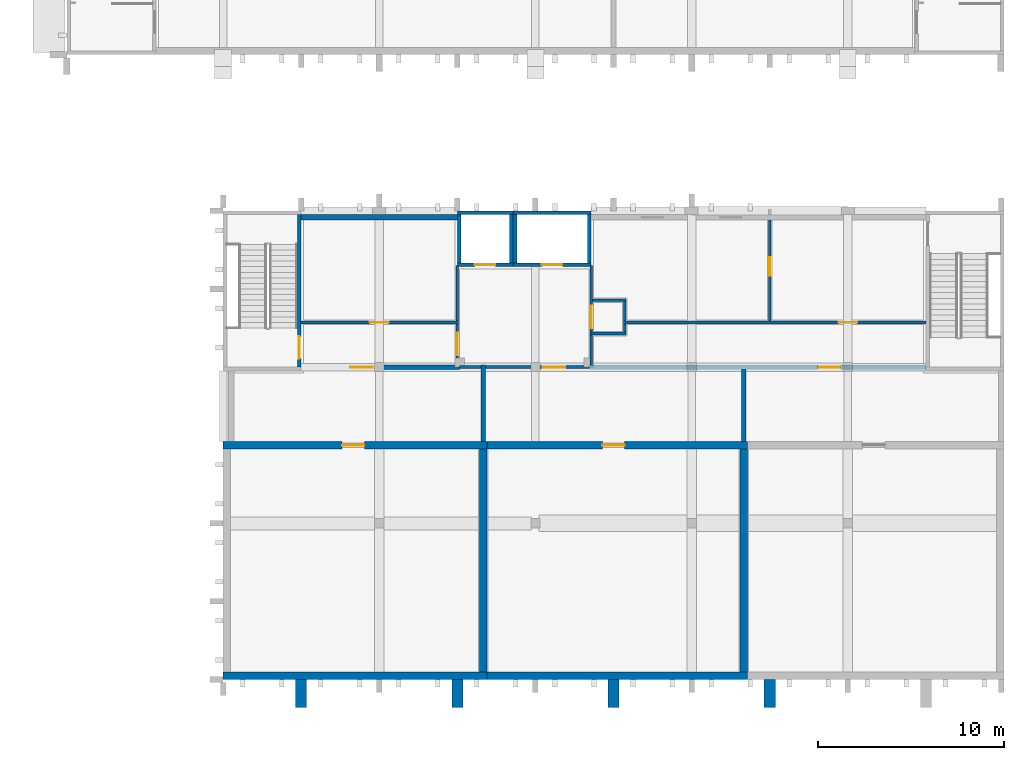
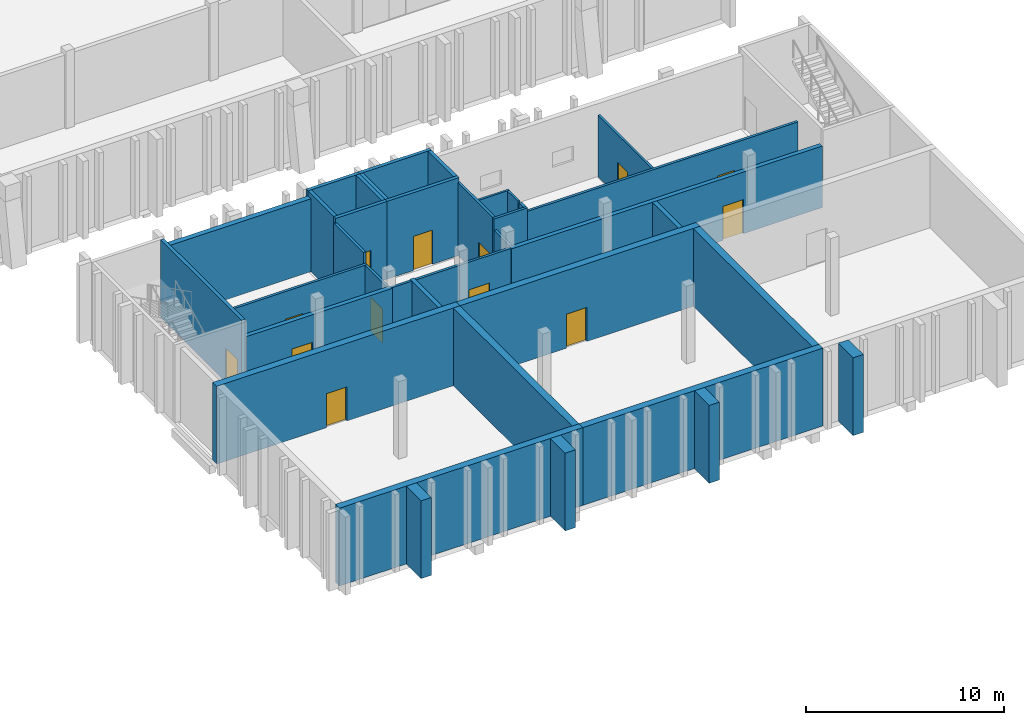
# One storey, part 52 of 86: 37 walls, 13 doors, 13 openings.
"""IFC4 building model written with IfcOpenShell, lengths in metres."""

from ifc_helpers import new_model, si_unit, direction, frame, frame_2d, origin, place, context, subcontext, project, spatial, rectangle, extrude, material, layer, layer_set, type_object, element, fill, save


model = new_model("IFC4")

# Units and contexts
model_context = context("Model", 3, precision=1e-05, world=origin(), true_north=direction((0.0, 1.0)))
body_context = subcontext(model_context, "Body", "Model", "MODEL_VIEW")
ifc_project = project(units=[si_unit("LENGTHUNIT", "METRE"), si_unit("AREAUNIT", "SQUARE_METRE"), si_unit("VOLUMEUNIT", "CUBIC_METRE"), si_unit("PLANEANGLEUNIT", "RADIAN"), si_unit("MASSUNIT", "GRAM", prefix="KILO")], contexts=[model_context])

# Site, building, storey
site_placement = place(None, origin())
site = spatial("IfcSite", under=ifc_project, at=site_placement, CompositionType="ELEMENT")
building_placement = place(site_placement, origin())
building = spatial("IfcBuilding", under=site, at=building_placement, Name="Kiln Court Media Centre", CompositionType="ELEMENT")
storey_placement = place(building_placement, frame((0.0, 0.0, 10.199951171875)))
storey = spatial("IfcBuildingStorey", under=building, at=storey_placement, Name="L02", CompositionType="ELEMENT", Elevation=10.199951171875)

# Wall
ifc_material_1 = material(Name="Concrete block masonry M7.5", Category="masonry")
ifc_layer_1 = layer(ifc_material_1, 0.14990234375)
ifc_layer_set_1 = layer_set([ifc_layer_1], Name="Block lobby wall 150 EI 120")
wall_type_1 = type_object("IfcWallType", Name="Block lobby wall 150 EI 120", PredefinedType="SOLIDWALL", material=ifc_layer_set_1)
wall_1_placement = place(storey_placement, frame((138.72509765625, 16.800048828125, 0.0), z_axis=(0.0, 0.0, 1.0), x_axis=(1.0, 0.0, 0.0)))
element("IfcWall", 1, at=wall_1_placement, inside=storey, type_object=wall_type_1, Name="L02 block lobby wall", PredefinedType="SOLIDWALL", context=body_context, shape_type="SweptSolid", body=[
    extrude(rectangle(XDim=1.14990234375, YDim=0.14990234375, at=frame_2d((0.574951171875, 0.0))), origin(), (0.0, 0.0, 1.0), 3.800048828125),
])

# Wall, opening, door
wall_2_placement = place(storey_placement, frame((140.125, 16.800048828125, 0.0), z_axis=(0.0, 0.0, 1.0), x_axis=(1.0, 0.0, 0.0)))
wall_2 = element("IfcWall", 2, at=wall_2_placement, inside=storey, type_object=wall_type_1, Name="L02 block lobby wall", PredefinedType="SOLIDWALL", context=body_context, shape_type="SweptSolid", body=[
    extrude(rectangle(XDim=5.550048828125, YDim=0.14990234375, at=frame_2d((2.77490234375, 0.0))), origin(), (0.0, 0.0, 1.0), 3.800048828125),
])
opening_1_placement = place(wall_2_placement, frame((3.074951171875, 0.0, 0.0)))
opening_1 = element("IfcOpeningElement", 3, at=opening_1_placement, cuts=wall_2, Name="Opening D2060", PredefinedType="OPENING", context=body_context, shape_type="SweptSolid", body=[
    extrude(rectangle(XDim=1.199951171875, YDim=2.10009765625, at=frame_2d((0.60009765625, 1.050048828125))), frame((0.0, 0.0849609375, 0.0), z_axis=(0.0, -1.0, 0.0), x_axis=(1.0, 0.0, 0.0)), (0.0, 0.0, 1.0), 0.169921875),
])
ifc_material_2 = material(Name="Steel S275", Category="steel")
door_type_1 = type_object("IfcDoorType", Name="Steel lobby door 1200 x 2100 FD120", OperationType="SINGLE_SWING_LEFT", PredefinedType="DOOR", material=ifc_material_2)
door_1_placement = place(opening_1_placement, origin())
door_1 = element("IfcDoor", 4, at=door_1_placement, inside=storey, type_object=door_type_1, Name="Radio Control Room 2 / Fire-fighting Lift Lobby", OperationType="SINGLE_SWING_RIGHT", OverallHeight=2.10009765625, OverallWidth=1.199951171875, PredefinedType="DOOR", context=body_context, shape_type="SweptSolid", body=[
    extrude(rectangle(XDim=1.199951171875, YDim=2.10009765625, at=frame_2d((0.60009765625, 1.050048828125))), frame((0.0, 0.02490234375, 0.0), z_axis=(0.0, -1.0, 0.0), x_axis=(1.0, 0.0, 0.0)), (0.0, 0.0, 1.0), 0.050048828125),
])
fill(opening_1, door_1)

wall_3_placement = place(storey_placement, frame((138.60009765625, 16.925048828125, 0.0), z_axis=(0.0, 0.0, 1.0), x_axis=(0.0, 1.0, 0.0)))
wall_3 = element("IfcWall", 5, at=wall_3_placement, inside=storey, type_object=wall_type_1, Name="L02 block lobby wall", PredefinedType="SOLIDWALL", context=body_context, shape_type="SweptSolid", body=[
    extrude(rectangle(XDim=2.199951171875, YDim=0.14990234375, at=frame_2d((1.10009765625, 0.0))), origin(), (0.0, 0.0, 1.0), 3.800048828125),
])
opening_2_placement = place(wall_3_placement, frame((0.52490234375, 0.0, 0.0)))
opening_2 = element("IfcOpeningElement", 6, at=opening_2_placement, cuts=wall_3, Name="Opening D2037", PredefinedType="OPENING", context=body_context, shape_type="SweptSolid", body=[
    extrude(rectangle(XDim=1.199951171875, YDim=2.10009765625, at=frame_2d((0.60009765625, 1.050048828125))), frame((0.0, 0.0849609375, 0.0), z_axis=(0.0, -1.0, 0.0), x_axis=(1.0, 0.0, 0.0)), (0.0, 0.0, 1.0), 0.169921875),
])
door_2_placement = place(opening_2_placement, origin())
door_2 = element("IfcDoor", 7, at=door_2_placement, inside=storey, type_object=door_type_1, Name="Studio Corridor / Fire-fighting Lift Lobby", OperationType="SINGLE_SWING_RIGHT", OverallHeight=2.10009765625, OverallWidth=1.199951171875, PredefinedType="DOOR", context=body_context, shape_type="SweptSolid", body=[
    extrude(rectangle(XDim=1.199951171875, YDim=2.10009765625, at=frame_2d((0.60009765625, 1.050048828125))), frame((0.0, 0.02490234375, 0.0), z_axis=(0.0, -1.0, 0.0), x_axis=(1.0, 0.0, 0.0)), (0.0, 0.0, 1.0), 0.050048828125),
])
fill(opening_2, door_2)

# Walls
wall_4_placement = place(storey_placement, frame((138.60009765625, 19.27490234375, 0.0), z_axis=(0.0, 0.0, 1.0), x_axis=(0.0, 1.0, 0.0)))
element("IfcWall", 8, at=wall_4_placement, inside=storey, type_object=wall_type_1, Name="L02 block lobby wall", PredefinedType="SOLIDWALL", context=body_context, shape_type="SweptSolid", body=[
    extrude(rectangle(XDim=3.0, YDim=0.14990234375, at=frame_2d((1.5, 0.0))), origin(), (0.0, 0.0, 1.0), 4.5),
])
wall_5_placement = place(storey_placement, frame((145.800048828125, 16.925048828125, 0.0), z_axis=(0.0, 0.0, 1.0), x_axis=(0.0, 1.0, 0.0)))
element("IfcWall", 9, at=wall_5_placement, inside=storey, type_object=wall_type_1, Name="L02 block lobby wall", PredefinedType="SOLIDWALL", context=body_context, shape_type="SweptSolid", body=[
    extrude(rectangle(XDim=1.599853515625, YDim=0.14990234375, at=frame_2d((0.7998046875, 0.0))), origin(), (0.0, 0.0, 1.0), 3.800048828125),
])

# Wall, opening, door
wall_6_placement = place(storey_placement, frame((145.800048828125, 18.675048828125, 0.0), z_axis=(0.0, 0.0, 1.0), x_axis=(0.0, 1.0, 0.0)))
wall_6 = element("IfcWall", 10, at=wall_6_placement, inside=storey, type_object=wall_type_1, Name="L02 block lobby wall", PredefinedType="SOLIDWALL", context=body_context, shape_type="SweptSolid", body=[
    extrude(rectangle(XDim=3.599853515625, YDim=0.14990234375, at=frame_2d((1.7998046875, 0.0))), origin(), (0.0, 0.0, 1.0), 4.5),
])
opening_3_placement = place(wall_6_placement, frame((0.22509765625, 0.0, 0.0)))
opening_3 = element("IfcOpeningElement", 11, at=opening_3_placement, cuts=wall_6, Name="Opening D2061", PredefinedType="OPENING", context=body_context, shape_type="SweptSolid", body=[
    extrude(rectangle(XDim=1.199951171875, YDim=2.10009765625, at=frame_2d((0.60009765625, 1.050048828125))), frame((0.0, 0.0849609375, 0.0), z_axis=(0.0, -1.0, 0.0), x_axis=(1.0, 0.0, 0.0)), (0.0, 0.0, 1.0), 0.169921875),
])
door_3_placement = place(opening_3_placement, origin())
door_3 = element("IfcDoor", 12, at=door_3_placement, inside=storey, type_object=door_type_1, Name="Fire-fighting Lift Lobby / Wheelchair Refuge", OperationType="SINGLE_SWING_RIGHT", OverallHeight=2.10009765625, OverallWidth=1.199951171875, PredefinedType="DOOR", context=body_context, shape_type="SweptSolid", body=[
    extrude(rectangle(XDim=1.199951171875, YDim=2.10009765625, at=frame_2d((0.60009765625, 1.050048828125))), frame((0.0, 0.02490234375, 0.0), z_axis=(0.0, -1.0, 0.0), x_axis=(1.0, 0.0, 0.0)), (0.0, 0.0, 1.0), 0.050048828125),
])
fill(opening_3, door_3)

# Walls
ifc_material_3 = material(Name="Concrete C40/50", Category="concrete")
ifc_layer_2 = layer(ifc_material_3, 0.300048828125)
ifc_layer_set_2 = layer_set([ifc_layer_2], Name="Concrete C40/50 board-marked facade wall 300")
wall_type_2 = type_object("IfcWallType", Name="Concrete C40/50 board-marked facade wall 300", PredefinedType="SOLIDWALL", material=ifc_layer_set_2)
wall_7_placement = place(storey_placement, frame((130.199951171875, 24.85009765625, 0.0), z_axis=(0.0, 0.0, 1.0), x_axis=(1.0, 0.0, 0.0)))
element("IfcWall", 13, at=wall_7_placement, inside=storey, type_object=wall_type_2, Name="V5 N facade wall 4011", PredefinedType="SOLIDWALL", context=body_context, shape_type="SweptSolid", body=[
    extrude(rectangle(XDim=8.400146484375, YDim=0.300048828125, at=frame_2d((4.2001953125, 0.0))), origin(), (0.0, 0.0, 1.0), 4.5),
])
ifc_material_4 = material(Name="Concrete C40/50", Category="concrete")
ifc_layer_3 = layer(ifc_material_4, 0.60009765625)
ifc_layer_set_3 = layer_set([ifc_layer_3], Name="Concrete C40/50 cast rib 600x1500")
wall_type_3 = type_object("IfcWallType", Name="Concrete C40/50 cast rib 600x1500", PredefinedType="SOLIDWALL", material=ifc_layer_set_3)
for number, where, z_axis, x_axis, name in (
    (14, (130.199951171875, 0.0, 0.0), (0.0, 0.0, 1.0), (0.0, -1.0, 0.0), "V5 S cast rib 1"),
    (15, (138.60009765625, 0.0, 0.0), (0.0, 0.0, 1.0), (0.0, -1.0, 0.0), "V5 S cast rib 2"),
    (16, (147.0, 0.0, 0.0), (0.0, 0.0, 1.0), (0.0, -1.0, 0.0), "V5 S cast rib 3"),
    (17, (155.39990234375, 0.0, 0.0), (0.0, 0.0, 1.0), (0.0, -1.0, 0.0), "V5 S cast rib 4"),
):
    element("IfcWall", number, at=place(storey_placement, frame(where, z_axis=z_axis, x_axis=x_axis)), inside=storey, type_object=wall_type_3, Name=name, PredefinedType="SOLIDWALL", context=body_context, shape_type="SweptSolid", body=[
        extrude(rectangle(XDim=1.5, YDim=0.60009765625, at=frame_2d((0.75, 0.0))), origin(), (0.0, 0.0, 1.0), 4.800048828125),
    ])

# Wall, opening, door
ifc_material_5 = material(Name="Concrete C40/50", Category="concrete")
ifc_layer_4 = layer(ifc_material_5, 0.199951171875)
ifc_layer_set_4 = layer_set([ifc_layer_4], Name="Concrete C40/50 shear wall 200")
wall_type_4 = type_object("IfcWallType", Name="Concrete C40/50 shear wall 200", PredefinedType="SHEAR", material=ifc_layer_set_4)
wall_8_placement = place(storey_placement, frame((130.10009765625, 25.0, 0.0), z_axis=(0.0, 0.0, 1.0), x_axis=(0.0, -1.0, 0.0)))
wall_8 = element("IfcWall", 18, at=wall_8_placement, inside=storey, type_object=wall_type_4, Name="L02-W-1063", PredefinedType="SHEAR", context=body_context, shape_type="SweptSolid", body=[
    extrude(rectangle(XDim=8.199951171875, YDim=0.199951171875, at=frame_2d((4.10009765625, 0.0))), origin(), (0.0, 0.0, 1.0), 4.800048828125),
])
opening_4_placement = place(wall_8_placement, frame((6.550048828125, 0.0, 0.0)))
opening_4 = element("IfcOpeningElement", 19, at=opening_4_placement, cuts=wall_8, Name="Opening D2011", PredefinedType="OPENING", context=body_context, shape_type="SweptSolid", body=[
    extrude(rectangle(XDim=1.199951171875, YDim=2.10009765625, at=frame_2d((0.60009765625, 1.050048828125))), frame((0.0, 0.10986328125, 0.0), z_axis=(0.0, -1.0, 0.0), x_axis=(1.0, 0.0, 0.0)), (0.0, 0.0, 1.0), 0.219970703125),
])
ifc_material_6 = material(Name="Steel S275", Category="steel")
door_type_2 = type_object("IfcDoorType", Name="Steel stair door 1200 x 2100 FD180", OperationType="SINGLE_SWING_LEFT", PredefinedType="DOOR", material=ifc_material_6)
door_4_placement = place(opening_4_placement, origin())
door_4 = element("IfcDoor", 20, at=door_4_placement, inside=storey, type_object=door_type_2, Name="Stair 16 / Studio Corridor", OperationType="SINGLE_SWING_LEFT", OverallHeight=2.10009765625, OverallWidth=1.199951171875, PredefinedType="DOOR", context=body_context, shape_type="SweptSolid", body=[
    extrude(rectangle(XDim=1.199951171875, YDim=2.10009765625, at=frame_2d((0.60009765625, 1.050048828125))), frame((0.0, 0.02490234375, 0.0), z_axis=(0.0, -1.0, 0.0), x_axis=(1.0, 0.0, 0.0)), (0.0, 0.0, 1.0), 0.050048828125),
])
fill(opening_4, door_4)

wall_9_placement = place(storey_placement, frame((141.60009765625, 22.300048828125, 0.0), z_axis=(0.0, 0.0, 1.0), x_axis=(-1.0, 0.0, 0.0)))
wall_9 = element("IfcWall", 21, at=wall_9_placement, inside=storey, type_object=wall_type_4, Name="L02-W-1098", PredefinedType="SHEAR", context=body_context, shape_type="SweptSolid", body=[
    extrude(rectangle(XDim=3.0, YDim=0.199951171875, at=frame_2d((1.5, 0.0))), origin(), (0.0, 0.0, 1.0), 4.800048828125),
])
opening_5_placement = place(wall_9_placement, frame((0.9501953125, 0.0, 0.0)))
opening_5 = element("IfcOpeningElement", 22, at=opening_5_placement, cuts=wall_9, Name="Opening LD211", PredefinedType="OPENING", context=body_context, shape_type="SweptSolid", body=[
    extrude(rectangle(XDim=1.10009765625, YDim=2.10009765625, at=frame_2d((0.550048828125, 1.050048828125))), frame((0.0, 0.10986328125, 0.0), z_axis=(0.0, -1.0, 0.0), x_axis=(1.0, 0.0, 0.0)), (0.0, 0.0, 1.0), 0.219970703125),
])
ifc_material_7 = material(Name="Stainless steel", Category="steel")
door_type_3 = type_object("IfcDoorType", Name="Firefighting lift landing door 1100 x 2100 FD120", OperationType="SLIDING_TO_LEFT", PredefinedType="DOOR", material=ifc_material_7)
door_5_placement = place(opening_5_placement, origin())
door_5 = element("IfcDoor", 23, at=door_5_placement, inside=storey, type_object=door_type_3, Name="LF-11 landing door L02", OperationType="SLIDING_TO_LEFT", OverallHeight=2.10009765625, OverallWidth=1.10009765625, PredefinedType="DOOR", context=body_context, shape_type="SweptSolid", body=[
    extrude(rectangle(XDim=1.10009765625, YDim=2.10009765625, at=frame_2d((0.550048828125, 1.050048828125))), frame((0.0, 0.02490234375, 0.0), z_axis=(0.0, -1.0, 0.0), x_axis=(1.0, 0.0, 0.0)), (0.0, 0.0, 1.0), 0.050048828125),
])
fill(opening_5, door_5)

# Walls
wall_10_placement = place(storey_placement, frame((138.60009765625, 25.10009765625, 0.0), z_axis=(0.0, 0.0, 1.0), x_axis=(1.0, 0.0, 0.0)))
element("IfcWall", 24, at=wall_10_placement, inside=storey, type_object=wall_type_4, Name="L02-W-1099", PredefinedType="SHEAR", context=body_context, shape_type="SweptSolid", body=[
    extrude(rectangle(XDim=3.0, YDim=0.199951171875, at=frame_2d((1.5, 0.0))), origin(), (0.0, 0.0, 1.0), 4.800048828125),
])
for number, where, z_axis, x_axis, name in (
    (25, (138.699951171875, 22.39990234375, 0.0), (0.0, 0.0, 1.0), (0.0, 1.0, 0.0), "L02-W-1100"),
    (26, (141.5, 25.0, 0.0), (0.0, 0.0, 1.0), (0.0, -1.0, 0.0), "L02-W-1101"),
):
    element("IfcWall", number, at=place(storey_placement, frame(where, z_axis=z_axis, x_axis=x_axis)), inside=storey, type_object=wall_type_4, Name=name, PredefinedType="SHEAR", context=body_context, shape_type="SweptSolid", body=[
        extrude(rectangle(XDim=2.60009765625, YDim=0.199951171875, at=frame_2d((1.300048828125, 0.0))), origin(), (0.0, 0.0, 1.0), 4.800048828125),
    ])

# Wall, opening, door
wall_11_placement = place(storey_placement, frame((145.800048828125, 22.300048828125, 0.0), z_axis=(0.0, 0.0, 1.0), x_axis=(-1.0, 0.0, 0.0)))
wall_11 = element("IfcWall", 27, at=wall_11_placement, inside=storey, type_object=wall_type_4, Name="L02-W-1102", PredefinedType="SHEAR", context=body_context, shape_type="SweptSolid", body=[
    extrude(rectangle(XDim=4.199951171875, YDim=0.199951171875, at=frame_2d((2.10009765625, 0.0))), origin(), (0.0, 0.0, 1.0), 4.800048828125),
])
opening_6_placement = place(wall_11_placement, frame((1.550048828125, 0.0, 0.0)))
opening_6 = element("IfcOpeningElement", 28, at=opening_6_placement, cuts=wall_11, Name="Opening LD212", PredefinedType="OPENING", context=body_context, shape_type="SweptSolid", body=[
    extrude(rectangle(XDim=1.10009765625, YDim=2.10009765625, at=frame_2d((0.550048828125, 1.050048828125))), frame((0.0, 0.10986328125, 0.0), z_axis=(0.0, -1.0, 0.0), x_axis=(1.0, 0.0, 0.0)), (0.0, 0.0, 1.0), 0.219970703125),
])
ifc_material_8 = material(Name="Stainless steel", Category="steel")
door_type_4 = type_object("IfcDoorType", Name="Lift landing door 1100 x 2100 FD120", OperationType="SLIDING_TO_LEFT", PredefinedType="DOOR", material=ifc_material_8)
door_6_placement = place(opening_6_placement, origin())
door_6 = element("IfcDoor", 29, at=door_6_placement, inside=storey, type_object=door_type_4, Name="LF-12 landing door L02", OperationType="SLIDING_TO_LEFT", OverallHeight=2.10009765625, OverallWidth=1.10009765625, PredefinedType="DOOR", context=body_context, shape_type="SweptSolid", body=[
    extrude(rectangle(XDim=1.10009765625, YDim=2.10009765625, at=frame_2d((0.550048828125, 1.050048828125))), frame((0.0, 0.02490234375, 0.0), z_axis=(0.0, -1.0, 0.0), x_axis=(1.0, 0.0, 0.0)), (0.0, 0.0, 1.0), 0.050048828125),
])
fill(opening_6, door_6)

# Walls
wall_12_placement = place(storey_placement, frame((141.60009765625, 25.10009765625, 0.0), z_axis=(0.0, 0.0, 1.0), x_axis=(1.0, 0.0, 0.0)))
element("IfcWall", 30, at=wall_12_placement, inside=storey, type_object=wall_type_4, Name="L02-W-1103", PredefinedType="SHEAR", context=body_context, shape_type="SweptSolid", body=[
    extrude(rectangle(XDim=4.199951171875, YDim=0.199951171875, at=frame_2d((2.10009765625, 0.0))), origin(), (0.0, 0.0, 1.0), 4.800048828125),
])
for number, where, z_axis, x_axis, name in (
    (31, (141.699951171875, 22.39990234375, 0.0), (0.0, 0.0, 1.0), (0.0, 1.0, 0.0), "L02-W-1104"),
    (32, (145.699951171875, 25.0, 0.0), (0.0, 0.0, 1.0), (0.0, -1.0, 0.0), "L02-W-1105"),
):
    element("IfcWall", number, at=place(storey_placement, frame(where, z_axis=z_axis, x_axis=x_axis)), inside=storey, type_object=wall_type_4, Name=name, PredefinedType="SHEAR", context=body_context, shape_type="SweptSolid", body=[
        extrude(rectangle(XDim=2.60009765625, YDim=0.199951171875, at=frame_2d((1.300048828125, 0.0))), origin(), (0.0, 0.0, 1.0), 4.800048828125),
    ])
ifc_material_9 = material(Name="Concrete C40/50", Category="concrete")
ifc_layer_5 = layer(ifc_material_9, 0.39990234375)
ifc_layer_set_5 = layer_set([ifc_layer_5], Name="Concrete C40/50 studio wall 400")
wall_type_5 = type_object("IfcWallType", Name="Concrete C40/50 studio wall 400", PredefinedType="SHEAR", material=ifc_layer_set_5)
wall_13_placement = place(storey_placement, frame((140.199951171875, 0.199951171875, 0.0), z_axis=(0.0, 0.0, 1.0), x_axis=(-1.0, 0.0, 0.0)))
element("IfcWall", 33, at=wall_13_placement, inside=storey, type_object=wall_type_5, Name="L02-W-1125", PredefinedType="SHEAR", context=body_context, shape_type="SweptSolid", body=[
    extrude(rectangle(XDim=14.199951171875, YDim=0.39990234375, at=frame_2d((7.10009765625, 0.0))), origin(), (0.0, 0.0, 1.0), 4.800048828125),
])

# Wall, opening, door
wall_14_placement = place(storey_placement, frame((126.0, 12.60009765625, 0.0), z_axis=(0.0, 0.0, 1.0), x_axis=(1.0, 0.0, 0.0)))
wall_14 = element("IfcWall", 34, at=wall_14_placement, inside=storey, type_object=wall_type_5, Name="L02-W-1126", PredefinedType="SHEAR", context=body_context, shape_type="SweptSolid", body=[
    extrude(rectangle(XDim=14.199951171875, YDim=0.39990234375, at=frame_2d((7.10009765625, 0.0))), origin(), (0.0, 0.0, 1.0), 4.800048828125),
])
opening_7_placement = place(wall_14_placement, frame((6.39990234375, 0.0, 0.0)))
opening_7 = element("IfcOpeningElement", 35, at=opening_7_placement, cuts=wall_14, Name="Opening D2073", PredefinedType="OPENING", context=body_context, shape_type="SweptSolid", body=[
    extrude(rectangle(XDim=1.199951171875, YDim=2.10009765625, at=frame_2d((0.60009765625, 1.050048828125))), frame((0.0, 0.2099609375, 0.0), z_axis=(0.0, -1.0, 0.0), x_axis=(1.0, 0.0, 0.0)), (0.0, 0.0, 1.0), 0.419921875),
])
ifc_material_10 = material(Name="Steel S275", Category="steel")
door_type_5 = type_object("IfcDoorType", Name="Acoustic studio door 1200 x 2100 FD180", OperationType="SINGLE_SWING_LEFT", PredefinedType="DOOR", material=ifc_material_10)
door_7_placement = place(opening_7_placement, origin())
door_7 = element("IfcDoor", 36, at=door_7_placement, inside=storey, type_object=door_type_5, Name="Radio Studio 1 / Radio Control Room 1", OperationType="SINGLE_SWING_RIGHT", OverallHeight=2.10009765625, OverallWidth=1.199951171875, PredefinedType="DOOR", context=body_context, shape_type="SweptSolid", body=[
    extrude(rectangle(XDim=1.199951171875, YDim=2.10009765625, at=frame_2d((0.60009765625, 1.050048828125))), frame((0.0, 0.02490234375, 0.0), z_axis=(0.0, -1.0, 0.0), x_axis=(1.0, 0.0, 0.0)), (0.0, 0.0, 1.0), 0.050048828125),
])
fill(opening_7, door_7)

# Walls
wall_15_placement = place(storey_placement, frame((140.0, 12.39990234375, 0.0), z_axis=(0.0, 0.0, 1.0), x_axis=(0.0, -1.0, 0.0)))
element("IfcWall", 37, at=wall_15_placement, inside=storey, type_object=wall_type_5, Name="L02-W-1128", PredefinedType="SHEAR", context=body_context, shape_type="SweptSolid", body=[
    extrude(rectangle(XDim=12.0, YDim=0.39990234375, at=frame_2d((6.0, 0.0))), origin(), (0.0, 0.0, 1.0), 4.800048828125),
])
wall_16_placement = place(storey_placement, frame((154.199951171875, 0.199951171875, 0.0), z_axis=(0.0, 0.0, 1.0), x_axis=(-1.0, 0.0, 0.0)))
element("IfcWall", 38, at=wall_16_placement, inside=storey, type_object=wall_type_5, Name="L02-W-1129", PredefinedType="SHEAR", context=body_context, shape_type="SweptSolid", body=[
    extrude(rectangle(XDim=14.0, YDim=0.39990234375, at=frame_2d((7.0, 0.0))), origin(), (0.0, 0.0, 1.0), 4.800048828125),
])

# Wall, opening, door
wall_17_placement = place(storey_placement, frame((140.199951171875, 12.60009765625, 0.0), z_axis=(0.0, 0.0, 1.0), x_axis=(1.0, 0.0, 0.0)))
wall_17 = element("IfcWall", 39, at=wall_17_placement, inside=storey, type_object=wall_type_5, Name="L02-W-1130", PredefinedType="SHEAR", context=body_context, shape_type="SweptSolid", body=[
    extrude(rectangle(XDim=14.0, YDim=0.39990234375, at=frame_2d((7.0, 0.0))), origin(), (0.0, 0.0, 1.0), 4.800048828125),
])
opening_8_placement = place(wall_17_placement, frame((6.199951171875, 0.0, 0.0)))
opening_8 = element("IfcOpeningElement", 40, at=opening_8_placement, cuts=wall_17, Name="Opening D2074", PredefinedType="OPENING", context=body_context, shape_type="SweptSolid", body=[
    extrude(rectangle(XDim=1.199951171875, YDim=2.10009765625, at=frame_2d((0.60009765625, 1.050048828125))), frame((0.0, 0.2099609375, 0.0), z_axis=(0.0, -1.0, 0.0), x_axis=(1.0, 0.0, 0.0)), (0.0, 0.0, 1.0), 0.419921875),
])
door_8_placement = place(opening_8_placement, origin())
door_8 = element("IfcDoor", 41, at=door_8_placement, inside=storey, type_object=door_type_5, Name="Radio Studio 2 / Radio Control Room 2", OperationType="SINGLE_SWING_RIGHT", OverallHeight=2.10009765625, OverallWidth=1.199951171875, PredefinedType="DOOR", context=body_context, shape_type="SweptSolid", body=[
    extrude(rectangle(XDim=1.199951171875, YDim=2.10009765625, at=frame_2d((0.60009765625, 1.050048828125))), frame((0.0, 0.02490234375, 0.0), z_axis=(0.0, -1.0, 0.0), x_axis=(1.0, 0.0, 0.0)), (0.0, 0.0, 1.0), 0.050048828125),
])
fill(opening_8, door_8)

# Wall
wall_18_placement = place(storey_placement, frame((154.0, 12.39990234375, 0.0), z_axis=(0.0, 0.0, 1.0), x_axis=(0.0, -1.0, 0.0)))
element("IfcWall", 42, at=wall_18_placement, inside=storey, type_object=wall_type_5, Name="L02-W-1131", PredefinedType="SHEAR", context=body_context, shape_type="SweptSolid", body=[
    extrude(rectangle(XDim=12.0, YDim=0.39990234375, at=frame_2d((6.0, 0.0))), origin(), (0.0, 0.0, 1.0), 4.800048828125),
])

# Wall, opening, door
ifc_material_11 = material(Name="Gypsum plasterboard", Category="gypsum")
ifc_layer_6 = layer(ifc_material_11, 0.25)
ifc_layer_set_6 = layer_set([ifc_layer_6], Name="Double-leaf acoustic wall 250 EI 120")
wall_type_6 = type_object("IfcWallType", Name="Double-leaf acoustic wall 250 EI 120", PredefinedType="PARTITIONING", material=ifc_layer_set_6)
wall_19_placement = place(storey_placement, frame((130.199951171875, 16.800048828125, 0.0), z_axis=(0.0, 0.0, 1.0), x_axis=(1.0, 0.0, 0.0)))
wall_19 = element("IfcWall", 43, at=wall_19_placement, inside=storey, type_object=wall_type_6, Name="L02 double-leaf acoustic wall", PredefinedType="PARTITIONING", context=body_context, shape_type="SweptSolid", body=[
    extrude(rectangle(XDim=8.525146484375, YDim=0.25, at=frame_2d((4.2626953125, 0.0))), origin(), (0.0, 0.0, 1.0), 3.800048828125),
])
opening_9_placement = place(wall_19_placement, frame((2.64990234375, 0.0, 0.0)))
opening_9 = element("IfcOpeningElement", 44, at=opening_9_placement, cuts=wall_19, Name="Opening D2036", PredefinedType="OPENING", context=body_context, shape_type="SweptSolid", body=[
    extrude(rectangle(XDim=1.199951171875, YDim=2.10009765625, at=frame_2d((0.60009765625, 1.050048828125))), frame((0.0, 0.135009765625, 0.0), z_axis=(0.0, -1.0, 0.0), x_axis=(1.0, 0.0, 0.0)), (0.0, 0.0, 1.0), 0.27001953125),
])
door_9_placement = place(opening_9_placement, origin())
door_9 = element("IfcDoor", 45, at=door_9_placement, inside=storey, type_object=door_type_5, Name="Radio Control Room 1 / Studio Corridor", OperationType="SINGLE_SWING_LEFT", OverallHeight=2.10009765625, OverallWidth=1.199951171875, PredefinedType="DOOR", context=body_context, shape_type="SweptSolid", body=[
    extrude(rectangle(XDim=1.199951171875, YDim=2.10009765625, at=frame_2d((0.60009765625, 1.050048828125))), frame((0.0, 0.02490234375, 0.0), z_axis=(0.0, -1.0, 0.0), x_axis=(1.0, 0.0, 0.0)), (0.0, 0.0, 1.0), 0.050048828125),
])
fill(opening_9, door_9)

wall_20_placement = place(storey_placement, frame((145.675048828125, 16.800048828125, 0.0), z_axis=(0.0, 0.0, 1.0), x_axis=(1.0, 0.0, 0.0)))
wall_20 = element("IfcWall", 46, at=wall_20_placement, inside=storey, type_object=wall_type_6, Name="L02 double-leaf acoustic wall", PredefinedType="PARTITIONING", context=body_context, shape_type="SweptSolid", body=[
    extrude(rectangle(XDim=18.125, YDim=0.25, at=frame_2d((9.0625, 0.0))), origin(), (0.0, 0.0, 1.0), 3.800048828125),
])
opening_10_placement = place(wall_20_placement, frame((12.324951171875, 0.0, 0.0)))
opening_10 = element("IfcOpeningElement", 47, at=opening_10_placement, cuts=wall_20, Name="Opening D2062", PredefinedType="OPENING", context=body_context, shape_type="SweptSolid", body=[
    extrude(rectangle(XDim=1.199951171875, YDim=2.10009765625, at=frame_2d((0.60009765625, 1.050048828125))), frame((0.0, 0.135009765625, 0.0), z_axis=(0.0, -1.0, 0.0), x_axis=(1.0, 0.0, 0.0)), (0.0, 0.0, 1.0), 0.27001953125),
])
door_10_placement = place(opening_10_placement, origin())
door_10 = element("IfcDoor", 48, at=door_10_placement, inside=storey, type_object=door_type_5, Name="Radio Control Room 3 / Studio Corridor", OperationType="SINGLE_SWING_LEFT", OverallHeight=2.10009765625, OverallWidth=1.199951171875, PredefinedType="DOOR", context=body_context, shape_type="SweptSolid", body=[
    extrude(rectangle(XDim=1.199951171875, YDim=2.10009765625, at=frame_2d((0.60009765625, 1.050048828125))), frame((0.0, 0.02490234375, 0.0), z_axis=(0.0, -1.0, 0.0), x_axis=(1.0, 0.0, 0.0)), (0.0, 0.0, 1.0), 0.050048828125),
])
fill(opening_10, door_10)

# Walls
wall_21_placement = place(storey_placement, frame((140.0, 12.800048828125, 0.0), z_axis=(0.0, 0.0, 1.0), x_axis=(0.0, 1.0, 0.0)))
element("IfcWall", 49, at=wall_21_placement, inside=storey, type_object=wall_type_6, Name="L02 double-leaf acoustic wall", PredefinedType="PARTITIONING", context=body_context, shape_type="SweptSolid", body=[
    extrude(rectangle(XDim=4.125, YDim=0.25, at=frame_2d((2.0625, 0.0))), origin(), (0.0, 0.0, 1.0), 3.800048828125),
])
wall_22_placement = place(storey_placement, frame((154.0, 12.800048828125, 0.0), z_axis=(0.0, 0.0, 1.0), x_axis=(0.0, 1.0, 0.0)))
element("IfcWall", 50, at=wall_22_placement, inside=storey, type_object=wall_type_6, Name="L02 double-leaf acoustic wall", PredefinedType="PARTITIONING", context=body_context, shape_type="SweptSolid", body=[
    extrude(rectangle(XDim=3.875, YDim=0.25, at=frame_2d((1.9375, 0.0))), origin(), (0.0, 0.0, 1.0), 3.800048828125),
])
ifc_material_12 = material(Name="Gypsum plasterboard", Category="gypsum")
ifc_layer_7 = layer(ifc_material_12, 0.14990234375)
ifc_layer_set_7 = layer_set([ifc_layer_7], Name="Gypsum corridor partition 150 EI 60")
wall_type_7 = type_object("IfcWallType", Name="Gypsum corridor partition 150 EI 60", PredefinedType="PARTITIONING", material=ifc_layer_set_7)
wall_23_placement = place(storey_placement, frame((145.72509765625, 18.60009765625, 0.0), z_axis=(0.0, 0.0, 1.0), x_axis=(1.0, 0.0, 0.0)))
element("IfcWall", 51, at=wall_23_placement, inside=storey, type_object=wall_type_7, Name="L02 gypsum corridor partition", PredefinedType="PARTITIONING", context=body_context, shape_type="SweptSolid", body=[
    extrude(rectangle(XDim=1.949951171875, YDim=0.14990234375, at=frame_2d((0.97509765625, 0.0))), origin(), (0.0, 0.0, 1.0), 4.5),
])

# Wall, opening, door
wall_24_placement = place(storey_placement, frame((130.2001953125, 19.199951171875, 0.0), z_axis=(0.0, 0.0, 1.0), x_axis=(1.0, 0.0, 0.0)))
wall_24 = element("IfcWall", 52, at=wall_24_placement, inside=storey, type_object=wall_type_7, Name="L02 gypsum corridor partition", PredefinedType="PARTITIONING", context=body_context, shape_type="SweptSolid", body=[
    extrude(rectangle(XDim=8.474853515625, YDim=0.14990234375, at=frame_2d((4.2373046875, 0.0))), origin(), (0.0, 0.0, 1.0), 3.800048828125),
])
opening_11_placement = place(wall_24_placement, frame((3.699951171875, 0.0, 0.0)))
opening_11 = element("IfcOpeningElement", 53, at=opening_11_placement, cuts=wall_24, Name="Opening D2038", PredefinedType="OPENING", context=body_context, shape_type="SweptSolid", body=[
    extrude(rectangle(XDim=1.0, YDim=2.10009765625, at=frame_2d((0.5, 1.050048828125))), frame((0.0, 0.0849609375, 0.0), z_axis=(0.0, -1.0, 0.0), x_axis=(1.0, 0.0, 0.0)), (0.0, 0.0, 1.0), 0.169921875),
])
ifc_material_13 = material(Name="Steel S275", Category="steel")
door_type_6 = type_object("IfcDoorType", Name="Steel corridor door 1000 x 2100 FD30S", OperationType="SINGLE_SWING_LEFT", PredefinedType="DOOR", material=ifc_material_13)
door_11_placement = place(opening_11_placement, origin())
door_11 = element("IfcDoor", 54, at=door_11_placement, inside=storey, type_object=door_type_6, Name="Studio Corridor / Radio Newsroom", OperationType="SINGLE_SWING_LEFT", OverallHeight=2.10009765625, OverallWidth=1.0, PredefinedType="DOOR", context=body_context, shape_type="SweptSolid", body=[
    extrude(rectangle(XDim=1.0, YDim=2.10009765625, at=frame_2d((0.5, 1.050048828125))), frame((0.0, 0.02490234375, 0.0), z_axis=(0.0, -1.0, 0.0), x_axis=(1.0, 0.0, 0.0)), (0.0, 0.0, 1.0), 0.050048828125),
])
fill(opening_11, door_11)

wall_25_placement = place(storey_placement, frame((147.52490234375, 19.199951171875, 0.0), z_axis=(0.0, 0.0, 1.0), x_axis=(1.0, 0.0, 0.0)))
wall_25 = element("IfcWall", 55, at=wall_25_placement, inside=storey, type_object=wall_type_7, Name="L02 gypsum corridor partition", PredefinedType="PARTITIONING", context=body_context, shape_type="SweptSolid", body=[
    extrude(rectangle(XDim=16.27490234375, YDim=0.14990234375, at=frame_2d((8.137451171875, 0.0))), origin(), (0.0, 0.0, 1.0), 3.800048828125),
])
opening_12_placement = place(wall_25_placement, frame((11.574951171875, 0.0, 0.0)))
opening_12 = element("IfcOpeningElement", 56, at=opening_12_placement, cuts=wall_25, Name="Opening D2039", PredefinedType="OPENING", context=body_context, shape_type="SweptSolid", body=[
    extrude(rectangle(XDim=1.0, YDim=2.10009765625, at=frame_2d((0.5, 1.050048828125))), frame((0.0, 0.0849609375, 0.0), z_axis=(0.0, -1.0, 0.0), x_axis=(1.0, 0.0, 0.0)), (0.0, 0.0, 1.0), 0.169921875),
])
door_12_placement = place(opening_12_placement, origin())
door_12 = element("IfcDoor", 57, at=door_12_placement, inside=storey, type_object=door_type_6, Name="Studio Corridor / Radio Production Suite", OperationType="SINGLE_SWING_RIGHT", OverallHeight=2.10009765625, OverallWidth=1.0, PredefinedType="DOOR", context=body_context, shape_type="SweptSolid", body=[
    extrude(rectangle(XDim=1.0, YDim=2.10009765625, at=frame_2d((0.5, 1.050048828125))), frame((0.0, 0.02490234375, 0.0), z_axis=(0.0, -1.0, 0.0), x_axis=(1.0, 0.0, 0.0)), (0.0, 0.0, 1.0), 0.050048828125),
])
fill(opening_12, door_12)

# Walls
wall_26_placement = place(storey_placement, frame((147.60009765625, 18.675048828125, 0.0), z_axis=(0.0, 0.0, 1.0), x_axis=(0.0, 1.0, 0.0)))
element("IfcWall", 58, at=wall_26_placement, inside=storey, type_object=wall_type_7, Name="L02 gypsum corridor partition", PredefinedType="PARTITIONING", context=body_context, shape_type="SweptSolid", body=[
    extrude(rectangle(XDim=0.449951171875, YDim=0.14990234375, at=frame_2d((0.22509765625, 0.0))), origin(), (0.0, 0.0, 1.0), 4.5),
])
ifc_material_14 = material(Name="Gypsum plasterboard", Category="gypsum")
ifc_layer_8 = layer(ifc_material_14, 0.125)
ifc_layer_set_8 = layer_set([ifc_layer_8], Name="Gypsum wet-area partition 125")
wall_type_8 = type_object("IfcWallType", Name="Gypsum wet-area partition 125", PredefinedType="PARTITIONING", material=ifc_layer_set_8)
wall_27_placement = place(storey_placement, frame((145.875, 20.39990234375, 0.0), z_axis=(0.0, 0.0, 1.0), x_axis=(1.0, 0.0, 0.0)))
element("IfcWall", 59, at=wall_27_placement, inside=storey, type_object=wall_type_8, Name="L02 gypsum wet-area partition", PredefinedType="PARTITIONING", context=body_context, shape_type="SweptSolid", body=[
    extrude(rectangle(XDim=1.78759765625, YDim=0.125, at=frame_2d((0.893798828125, 0.0))), origin(), (0.0, 0.0, 1.0), 4.5),
])
wall_28_placement = place(storey_placement, frame((147.60009765625, 19.27490234375, 0.0), z_axis=(0.0, 0.0, 1.0), x_axis=(0.0, 1.0, 0.0)))
element("IfcWall", 60, at=wall_28_placement, inside=storey, type_object=wall_type_8, Name="L02 gypsum wet-area partition", PredefinedType="PARTITIONING", context=body_context, shape_type="SweptSolid", body=[
    extrude(rectangle(XDim=1.0625, YDim=0.125, at=frame_2d((0.53125, 0.0))), origin(), (0.0, 0.0, 1.0), 4.5),
])

# Wall, opening, door
wall_29_placement = place(storey_placement, frame((155.39990234375, 19.27490234375, 0.0), z_axis=(0.0, 0.0, 1.0), x_axis=(0.0, 1.0, 0.0)))
wall_29 = element("IfcWall", 61, at=wall_29_placement, inside=storey, type_object=wall_type_8, Name="L02 gypsum wet-area partition", PredefinedType="PARTITIONING", context=body_context, shape_type="SweptSolid", body=[
    extrude(rectangle(XDim=5.425048828125, YDim=0.125, at=frame_2d((2.71240234375, 0.0))), origin(), (0.0, 0.0, 1.0), 3.800048828125),
])
opening_13_placement = place(wall_29_placement, frame((2.425048828125, 0.0, 0.0)))
opening_13 = element("IfcOpeningElement", 62, at=opening_13_placement, cuts=wall_29, Name="Opening D2040", PredefinedType="OPENING", context=body_context, shape_type="SweptSolid", body=[
    extrude(rectangle(XDim=1.0, YDim=2.10009765625, at=frame_2d((0.5, 1.050048828125))), frame((0.0, 0.072509765625, 0.0), z_axis=(0.0, -1.0, 0.0), x_axis=(1.0, 0.0, 0.0)), (0.0, 0.0, 1.0), 0.14501953125),
])
ifc_material_15 = material(Name="Timber", Category="wood")
door_type_7 = type_object("IfcDoorType", Name="Accessible timber door 1000 x 2100", OperationType="SINGLE_SWING_LEFT", PredefinedType="DOOR", material=ifc_material_15)
door_13_placement = place(opening_13_placement, origin())
door_13 = element("IfcDoor", 63, at=door_13_placement, inside=storey, type_object=door_type_7, Name="Toilets and Accessible WC / Radio Production Suite", OperationType="SINGLE_SWING_RIGHT", OverallHeight=2.10009765625, OverallWidth=1.0, PredefinedType="DOOR", context=body_context, shape_type="SweptSolid", body=[
    extrude(rectangle(XDim=1.0, YDim=2.10009765625, at=frame_2d((0.5, 1.050048828125))), frame((0.0, 0.02490234375, 0.0), z_axis=(0.0, -1.0, 0.0), x_axis=(1.0, 0.0, 0.0)), (0.0, 0.0, 1.0), 0.050048828125),
])
fill(opening_13, door_13)

save(model, "model.ifc")
